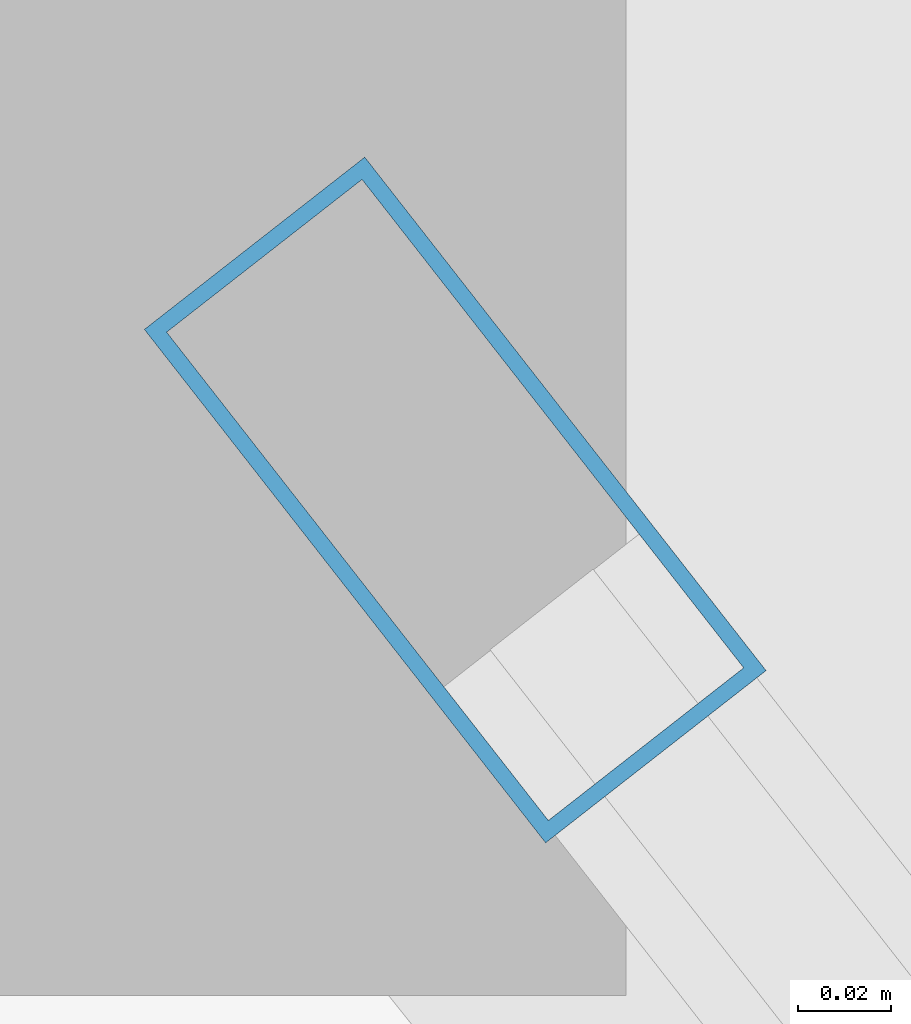
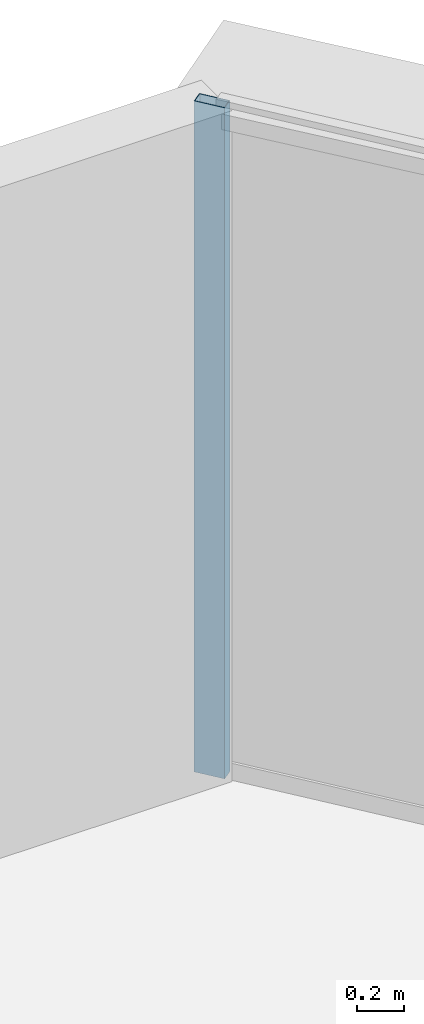
# One storey, part 23 of 37: 1 member, 1 element without a shape of its own.
"""IFC4 building model written with IfcOpenShell, lengths in metres."""

from ifc_helpers import new_model, si_unit, direction, frame, origin, origin_2d, place, context, subcontext, project, spatial, hollow_rectangle, extrude, source, transform, mapped, material, layer, layer_set, material_profile, profile_set, type_object, element, aggregate, save


model = new_model("IFC4")

# Units and contexts
model_context = context("Model", 3, precision=1e-05, world=origin(), true_north=direction((0.0, 1.0)))
body_context = subcontext(model_context, "Body", "Model", "MODEL_VIEW")
ifc_project = project(units=[si_unit("LENGTHUNIT", "METRE"), si_unit("AREAUNIT", "SQUARE_METRE"), si_unit("VOLUMEUNIT", "CUBIC_METRE"), si_unit("PLANEANGLEUNIT", "RADIAN"), si_unit("MASSUNIT", "GRAM", prefix="KILO"), si_unit("THERMODYNAMICTEMPERATUREUNIT", "KELVIN"), si_unit("POWERUNIT", "WATT")], contexts=[model_context])

# Site, building, storey
site_placement = place(None, origin())
site = spatial("IfcSite", under=ifc_project, at=site_placement, CompositionType="ELEMENT")
building_placement = place(site_placement, origin())
building = spatial("IfcBuilding", under=site, at=building_placement, Name="Yunzhuo Pagoda Commons", CompositionType="ELEMENT")
storey_placement = place(building_placement, frame((0.0, 0.0, 240.800048828125)))
storey = spatial("IfcBuildingStorey", under=building, at=storey_placement, Name="L60", CompositionType="ELEMENT", Elevation=240.800048828125)

# Curtain wall, member
ifc_material = material(Name="Anodized aluminium 6063-T6", Category="aluminium")
ifc_layer = layer(ifc_material, 0.139892578125)
ifc_layer_set = layer_set([ifc_layer], Name="Anodized aluminium 6063-T6")
curtain_wall_type = type_object("IfcCurtainWallType", Name="CW-HI High-Zone Ribbon Curtain Wall", PredefinedType="NOTDEFINED", material=ifc_layer_set)
curtain_wall_placement = place(storey_placement, origin())
curtain_wall = element("IfcCurtainWall", 1, at=curtain_wall_placement, inside=storey, type_object=curtain_wall_type, Name="L60 curtain wall CW-L60-F2B5", PredefinedType="NOTDEFINED")
ifc_material_profile = material_profile(ifc_material, hollow_rectangle(XDim=0.06005859375, YDim=0.139892578125, WallThickness=0.00341796875, at=origin_2d()), Name="Anodized aluminium 6063-T6")
ifc_profile_set = profile_set([ifc_material_profile], Name="Anodized aluminium 6063-T6")
member_type = type_object("IfcMemberType", Name="CW-HI-M Mullion RHS 140x60x3.5", PredefinedType="MULLION", material=ifc_profile_set)
shared_shape = source(origin(), body_context, "Body", "SweptSolid", [
    extrude(hollow_rectangle(XDim=0.06005859375, YDim=0.139892578125, WallThickness=0.00341796875, at=origin_2d()), origin(), (0.0, 0.0, 1.0), 3.47021484375),
])
member_placement = place(storey_placement, frame((51.886962890625, 79.776123046875, 0.0), z_axis=(0.0, 0.0, 1.0), x_axis=(-0.787911077131, -0.615789034114, 0.0)))
member = element("IfcMember", 2, at=member_placement, type_object=member_type, Name="CW mullion 2", PredefinedType="MULLION", context=body_context, shape_type="MappedRepresentation", body=[
    mapped(shared_shape, transform((0.0, 0.0, 0.0), scale=1.0)),
])
aggregate(curtain_wall, [member])

save(model, "model.ifc")
